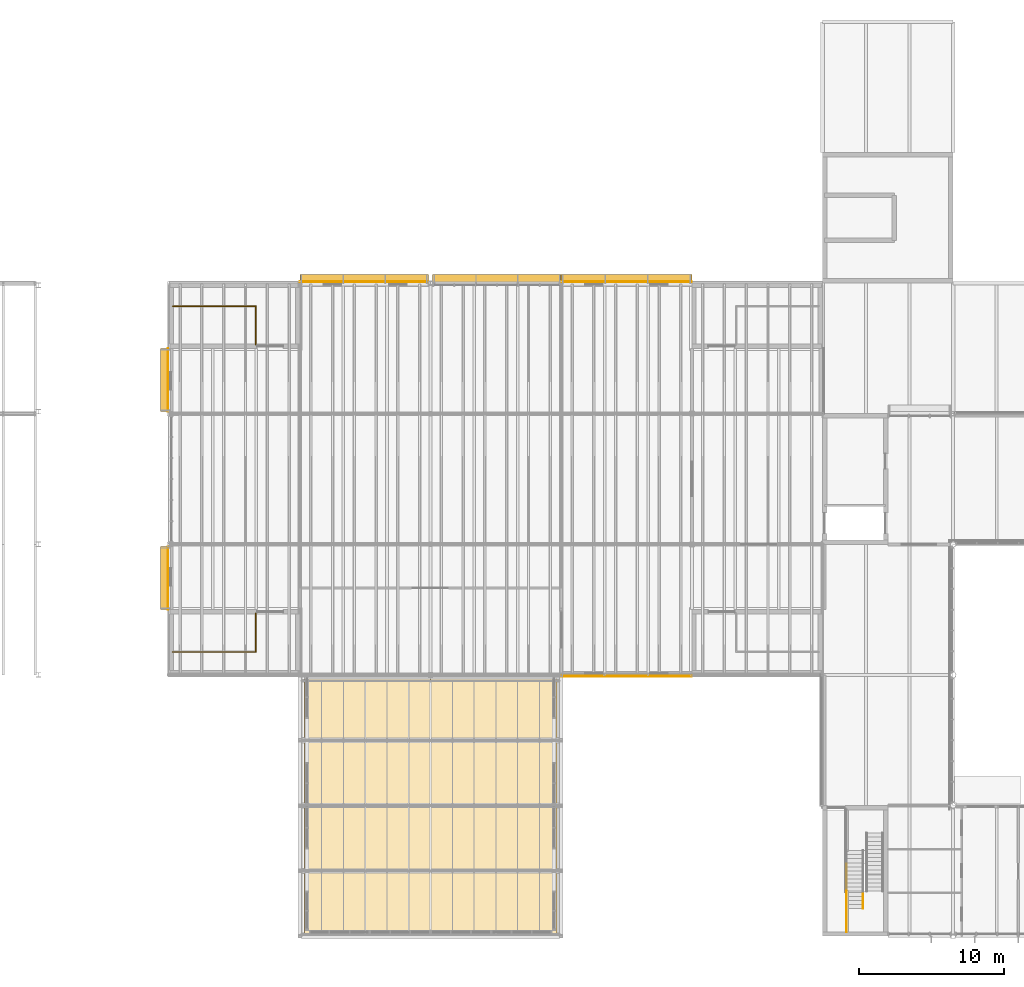
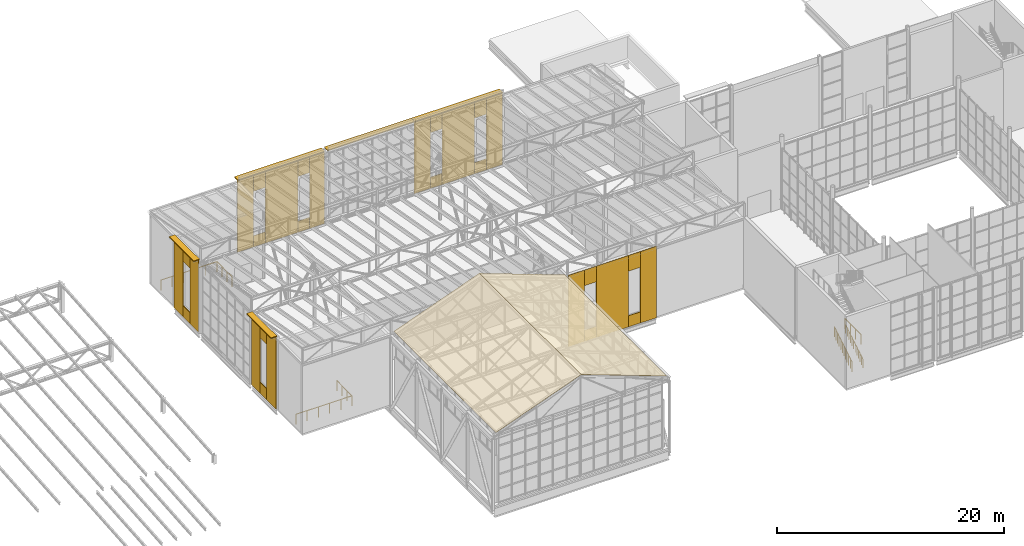
# One storey, part 86 of 90: 31 coverings, 5 railings, 5 shading devices.
"""IFC4 building model written with IfcOpenShell, lengths in metres."""

from ifc_helpers import new_model, si_unit, direction, frame, frame_2d, origin, origin_2d, place, context, subcontext, project, spatial, polyline, rectangle, circle, outline, extrude, material, layer, layer_set, type_object, element, save


model = new_model("IFC4")

# Units and contexts
model_context = context("Model", 3, precision=1e-05, world=origin(), true_north=direction((0.0, 1.0)))
body_context = subcontext(model_context, "Body", "Model", "MODEL_VIEW")
ifc_project = project(units=[si_unit("LENGTHUNIT", "METRE"), si_unit("AREAUNIT", "SQUARE_METRE"), si_unit("VOLUMEUNIT", "CUBIC_METRE"), si_unit("PLANEANGLEUNIT", "RADIAN"), si_unit("MASSUNIT", "GRAM", prefix="KILO")], contexts=[model_context])

# Site, building, storey
site_placement = place(None, origin())
site = spatial("IfcSite", under=ifc_project, at=site_placement, CompositionType="ELEMENT")
building_placement = place(site_placement, origin())
building = spatial("IfcBuilding", under=site, at=building_placement, Name="Halyard Row Museum", CompositionType="ELEMENT")
storey_placement = place(building_placement, frame((0.0, 0.0, 13.39990234375)))
storey = spatial("IfcBuildingStorey", under=building, at=storey_placement, Name="L03", CompositionType="ELEMENT", Elevation=13.39990234375)

# Railings
ifc_material_1 = material(Name="Steel Grade 300", Category="steel")
railing_type_1 = type_object("IfcRailingType", Name="Guard GR2 steel balustrade 1100", PredefinedType="GUARDRAIL", material=ifc_material_1)
railing_1_placement = place(storey_placement, frame((73.64990234375, 1.89990234375, 0.169677734375)))
element("IfcRailing", 1, at=railing_1_placement, inside=storey, type_object=railing_type_1, Name="Guard GR045", PredefinedType="GUARDRAIL", context=body_context, shape_type="SweptSolid", body=[
    extrude(circle(Radius=0.02392578125, at=origin_2d()), frame((0.0, 0.0, 1.076171875), z_axis=(0.0, 0.855578329207, 0.517673374428), x_axis=(-1.0, 0.0, 0.0)), (0.0, 0.0, 1.0), 0.327392578125),
    extrude(circle(Radius=0.02392578125, at=origin_2d()), frame((0.0, 0.280029296875, 1.24560546875), z_axis=(0.0, 0.855247904055, 0.518219087461), x_axis=(-1.0, 0.0, 0.0)), (0.0, 0.0, 1.0), 0.327392578125),
    extrude(circle(Radius=0.02392578125, at=origin_2d()), frame((0.0, 0.56005859375, 1.4150390625), z_axis=(0.0, 0.855247904055, 0.518219087461), x_axis=(-1.0, 0.0, 0.0)), (0.0, 0.0, 1.0), 0.327392578125),
    extrude(circle(Radius=0.02392578125, at=origin_2d()), frame((0.0, 0.840087890625, 1.5849609375), z_axis=(0.0, 0.855578329207, 0.517673374428), x_axis=(-1.0, 0.0, 0.0)), (0.0, 0.0, 1.0), 0.327392578125),
    extrude(circle(Radius=0.02392578125, at=origin_2d()), frame((0.0, 1.1201171875, 1.75439453125), z_axis=(0.0, 0.855247904055, 0.518219087461), x_axis=(-1.0, 0.0, 0.0)), (0.0, 0.0, 1.0), 0.327392578125),
    extrude(circle(Radius=0.02392578125, at=origin_2d()), frame((0.0, 1.400146484375, 1.923828125), z_axis=(0.0, 0.855578329207, 0.517673374428), x_axis=(-1.0, 0.0, 0.0)), (0.0, 0.0, 1.0), 0.327392578125),
    extrude(circle(Radius=0.02392578125, at=origin_2d()), frame((0.0, 1.68017578125, 2.09326171875), z_axis=(0.0, 0.855247904055, 0.518219087461), x_axis=(-1.0, 0.0, 0.0)), (0.0, 0.0, 1.0), 0.327392578125),
    extrude(circle(Radius=0.02392578125, at=origin_2d()), frame((0.0, 1.960205078125, 2.26318359375), z_axis=(0.0, 0.855378239897, 0.518003925382), x_axis=(-1.0, 0.0, 0.0)), (0.0, 0.0, 1.0), 0.3271484375),
    extrude(circle(Radius=0.02392578125, at=origin_2d()), frame((0.0, 2.239990234375, 2.4326171875), z_axis=(0.0, 0.855247904055, 0.518219087461), x_axis=(-1.0, 0.0, 0.0)), (0.0, 0.0, 1.0), 0.327392578125),
    extrude(circle(Radius=0.02392578125, at=origin_2d()), frame((0.0, 2.52001953125, 2.60205078125), z_axis=(0.0, 0.855578329207, 0.517673374428), x_axis=(-1.0, 0.0, 0.0)), (0.0, 0.0, 1.0), 0.327392578125),
    extrude(circle(Radius=0.02392578125, at=origin_2d()), frame((0.0, 2.800048828125, 2.771484375), z_axis=(0.0, 0.855247904055, 0.518219087461), x_axis=(-1.0, 0.0, 0.0)), (0.0, 0.0, 1.0), 0.327392578125),
    extrude(circle(Radius=0.02099609375, at=origin_2d()), origin(), (0.0, 0.0, 1.0), 1.052001953125),
    extrude(circle(Radius=0.02099609375, at=origin_2d()), frame((0.0, 0.280029296875, 0.16943359375)), (0.0, 0.0, 1.0), 1.052001953125),
    extrude(circle(Radius=0.02099609375, at=origin_2d()), frame((0.0, 0.56005859375, 0.339111328125)), (0.0, 0.0, 1.0), 1.052001953125),
    extrude(circle(Radius=0.02099609375, at=origin_2d()), frame((0.0, 0.840087890625, 0.5087890625)), (0.0, 0.0, 1.0), 1.052001953125),
    extrude(circle(Radius=0.02099609375, at=origin_2d()), frame((0.0, 1.1201171875, 0.67822265625)), (0.0, 0.0, 1.0), 1.052001953125),
    extrude(circle(Radius=0.02099609375, at=origin_2d()), frame((0.0, 1.400146484375, 0.847900390625)), (0.0, 0.0, 1.0), 1.052001953125),
    extrude(circle(Radius=0.02099609375, at=origin_2d()), frame((0.0, 1.68017578125, 1.017333984375)), (0.0, 0.0, 1.0), 1.052001953125),
    extrude(circle(Radius=0.02099609375, at=origin_2d()), frame((0.0, 1.960205078125, 1.18701171875)), (0.0, 0.0, 1.0), 1.052001953125),
    extrude(circle(Radius=0.02099609375, at=origin_2d()), frame((0.0, 2.239990234375, 1.3564453125)), (0.0, 0.0, 1.0), 1.052001953125),
    extrude(circle(Radius=0.02099609375, at=origin_2d()), frame((0.0, 2.52001953125, 1.526123046875)), (0.0, 0.0, 1.0), 1.052001953125),
    extrude(circle(Radius=0.02099609375, at=origin_2d()), frame((0.0, 2.800048828125, 1.695556640625)), (0.0, 0.0, 1.0), 1.052001953125),
    extrude(circle(Radius=0.02099609375, at=origin_2d()), frame((0.0, 3.080078125, 1.865234375)), (0.0, 0.0, 1.0), 1.052001953125),
])
railing_2_placement = place(storey_placement, frame((73.64990234375, 3.10009765625, 4.069580078125)))
element("IfcRailing", 2, at=railing_2_placement, inside=storey, type_object=railing_type_1, Name="Guard GR048", PredefinedType="GUARDRAIL", context=body_context, shape_type="SweptSolid", body=[
    extrude(circle(Radius=0.02392578125, at=origin_2d()), frame((0.0, 0.0, 1.076171875), z_axis=(0.0, -1.0, 0.0), x_axis=(1.0, 0.0, 0.0)), (0.0, 0.0, 1.0), 2.800048828125),
    extrude(circle(Radius=0.02099609375, at=origin_2d()), origin(), (0.0, 0.0, 1.0), 1.052001953125),
    extrude(circle(Radius=0.02099609375, at=origin_2d()), frame((0.0, -0.933349609375, 0.0)), (0.0, 0.0, 1.0), 1.052001953125),
    extrude(circle(Radius=0.02099609375, at=origin_2d()), frame((0.0, -1.86669921875, 0.0)), (0.0, 0.0, 1.0), 1.052001953125),
    extrude(circle(Radius=0.02099609375, at=origin_2d()), frame((0.0, -2.800048828125, 0.0)), (0.0, 0.0, 1.0), 1.052001953125),
])
railing_3_placement = place(storey_placement, frame((27.239990234375, 43.409912109375, 0.0)))
element("IfcRailing", 3, at=railing_3_placement, inside=storey, type_object=railing_type_1, Name="Guard GR140", PredefinedType="GUARDRAIL", context=body_context, shape_type="SweptSolid", body=[
    extrude(circle(Radius=0.02392578125, at=origin_2d()), frame((0.0, 0.0, 1.076171875), z_axis=(1.0, 0.0, 0.0), x_axis=(0.0, 1.0, 0.0)), (0.0, 0.0, 1.0), 5.719970703125),
    extrude(circle(Radius=0.02392578125, at=origin_2d()), frame((5.719970703125, 0.0, 1.076171875), z_axis=(0.0, -1.0, 0.0), x_axis=(1.0, 0.0, 0.0)), (0.0, 0.0, 1.0), 2.669921875),
    extrude(circle(Radius=0.02099609375, at=origin_2d()), origin(), (0.0, 0.0, 1.0), 1.052001953125),
    extrude(circle(Radius=0.02099609375, at=origin_2d()), frame((1.14404296875, 0.0, 0.0)), (0.0, 0.0, 1.0), 1.052001953125),
    extrude(circle(Radius=0.02099609375, at=origin_2d()), frame((2.2880859375, 0.0, 0.0)), (0.0, 0.0, 1.0), 1.052001953125),
    extrude(circle(Radius=0.02099609375, at=origin_2d()), frame((3.431884765625, 0.0, 0.0)), (0.0, 0.0, 1.0), 1.052001953125),
    extrude(circle(Radius=0.02099609375, at=origin_2d()), frame((4.575927734375, 0.0, 0.0)), (0.0, 0.0, 1.0), 1.052001953125),
    extrude(circle(Radius=0.02099609375, at=origin_2d()), frame((5.719970703125, 0.0, 0.0)), (0.0, 0.0, 1.0), 1.052001953125),
    extrude(circle(Radius=0.02099609375, at=origin_2d()), frame((5.719970703125, -0.889892578125, 0.0)), (0.0, 0.0, 1.0), 1.052001953125),
    extrude(circle(Radius=0.02099609375, at=origin_2d()), frame((5.719970703125, -1.780029296875, 0.0)), (0.0, 0.0, 1.0), 1.052001953125),
    extrude(circle(Radius=0.02099609375, at=origin_2d()), frame((5.719970703125, -2.669921875, 0.0)), (0.0, 0.0, 1.0), 1.052001953125),
])
railing_4_placement = place(storey_placement, frame((32.9599609375, 22.260009765625, 0.0)))
element("IfcRailing", 4, at=railing_4_placement, inside=storey, type_object=railing_type_1, Name="Guard GR154", PredefinedType="GUARDRAIL", context=body_context, shape_type="SweptSolid", body=[
    extrude(circle(Radius=0.02392578125, at=origin_2d()), frame((0.0, 0.0, 1.076171875), z_axis=(0.0, -1.0, 0.0), x_axis=(1.0, 0.0, 0.0)), (0.0, 0.0, 1.0), 2.669921875),
    extrude(circle(Radius=0.02392578125, at=origin_2d()), frame((0.0, -2.669921875, 1.076171875), z_axis=(-1.0, 0.0, 0.0), x_axis=(0.0, -1.0, 0.0)), (0.0, 0.0, 1.0), 5.719970703125),
    extrude(circle(Radius=0.02099609375, at=origin_2d()), origin(), (0.0, 0.0, 1.0), 1.052001953125),
    extrude(circle(Radius=0.02099609375, at=origin_2d()), frame((0.0, -0.889892578125, 0.0)), (0.0, 0.0, 1.0), 1.052001953125),
    extrude(circle(Radius=0.02099609375, at=origin_2d()), frame((0.0, -1.780029296875, 0.0)), (0.0, 0.0, 1.0), 1.052001953125),
    extrude(circle(Radius=0.02099609375, at=origin_2d()), frame((0.0, -2.669921875, 0.0)), (0.0, 0.0, 1.0), 1.052001953125),
    extrude(circle(Radius=0.02099609375, at=origin_2d()), frame((-1.14404296875, -2.669921875, 0.0)), (0.0, 0.0, 1.0), 1.052001953125),
    extrude(circle(Radius=0.02099609375, at=origin_2d()), frame((-2.2880859375, -2.669921875, 0.0)), (0.0, 0.0, 1.0), 1.052001953125),
    extrude(circle(Radius=0.02099609375, at=origin_2d()), frame((-3.431884765625, -2.669921875, 0.0)), (0.0, 0.0, 1.0), 1.052001953125),
    extrude(circle(Radius=0.02099609375, at=origin_2d()), frame((-4.575927734375, -2.669921875, 0.0)), (0.0, 0.0, 1.0), 1.052001953125),
    extrude(circle(Radius=0.02099609375, at=origin_2d()), frame((-5.719970703125, -2.669921875, 0.0)), (0.0, 0.0, 1.0), 1.052001953125),
])
ifc_material_2 = material(Name="Steel Grade 300", Category="steel")
railing_type_2 = type_object("IfcRailingType", Name="Handrail HR2 steel 900", PredefinedType="HANDRAIL", material=ifc_material_2)
railing_5_placement = place(storey_placement, frame((74.800048828125, 1.89990234375, 0.169677734375)))
element("IfcRailing", 5, at=railing_5_placement, inside=storey, type_object=railing_type_2, Name="Handrail HR067", PredefinedType="HANDRAIL", context=body_context, shape_type="SweptSolid", body=[
    extrude(circle(Radius=0.02392578125, at=origin_2d()), frame((0.0, 0.0, 0.8759765625), z_axis=(0.0, 0.855578329207, 0.517673374428), x_axis=(-1.0, 0.0, 0.0)), (0.0, 0.0, 1.0), 0.327392578125),
    extrude(circle(Radius=0.02392578125, at=origin_2d()), frame((0.0, 0.280029296875, 1.04541015625), z_axis=(0.0, 0.855247904055, 0.518219087461), x_axis=(-1.0, 0.0, 0.0)), (0.0, 0.0, 1.0), 0.327392578125),
    extrude(circle(Radius=0.02392578125, at=origin_2d()), frame((0.0, 0.56005859375, 1.21484375), z_axis=(0.0, 0.855247904055, 0.518219087461), x_axis=(-1.0, 0.0, 0.0)), (0.0, 0.0, 1.0), 0.327392578125),
    extrude(circle(Radius=0.02392578125, at=origin_2d()), frame((0.0, 0.840087890625, 1.384765625), z_axis=(0.0, 0.855578329207, 0.517673374428), x_axis=(-1.0, 0.0, 0.0)), (0.0, 0.0, 1.0), 0.327392578125),
    extrude(circle(Radius=0.02392578125, at=origin_2d()), frame((0.0, 1.1201171875, 1.55419921875), z_axis=(0.0, 0.855247904055, 0.518219087461), x_axis=(-1.0, 0.0, 0.0)), (0.0, 0.0, 1.0), 0.327392578125),
    extrude(circle(Radius=0.02392578125, at=origin_2d()), frame((0.0, 1.400146484375, 1.7236328125), z_axis=(0.0, 0.855578329207, 0.517673374428), x_axis=(-1.0, 0.0, 0.0)), (0.0, 0.0, 1.0), 0.327392578125),
    extrude(circle(Radius=0.02392578125, at=origin_2d()), frame((0.0, 1.68017578125, 1.89306640625), z_axis=(0.0, 0.855247904055, 0.518219087461), x_axis=(-1.0, 0.0, 0.0)), (0.0, 0.0, 1.0), 0.327392578125),
    extrude(circle(Radius=0.02392578125, at=origin_2d()), frame((0.0, 1.960205078125, 2.06298828125), z_axis=(0.0, 0.855378239897, 0.518003925382), x_axis=(-1.0, 0.0, 0.0)), (0.0, 0.0, 1.0), 0.3271484375),
    extrude(circle(Radius=0.02392578125, at=origin_2d()), frame((0.0, 2.239990234375, 2.232421875), z_axis=(0.0, 0.855247904055, 0.518219087461), x_axis=(-1.0, 0.0, 0.0)), (0.0, 0.0, 1.0), 0.327392578125),
    extrude(circle(Radius=0.02392578125, at=origin_2d()), frame((0.0, 2.52001953125, 2.40185546875), z_axis=(0.0, 0.855578329207, 0.517673374428), x_axis=(-1.0, 0.0, 0.0)), (0.0, 0.0, 1.0), 0.327392578125),
    extrude(circle(Radius=0.02392578125, at=origin_2d()), frame((0.0, 2.800048828125, 2.5712890625), z_axis=(0.0, 0.855247904055, 0.518219087461), x_axis=(-1.0, 0.0, 0.0)), (0.0, 0.0, 1.0), 0.327392578125),
    extrude(circle(Radius=0.02099609375, at=origin_2d()), origin(), (0.0, 0.0, 1.0), 0.851806640625),
    extrude(circle(Radius=0.02099609375, at=origin_2d()), frame((0.0, 0.280029296875, 0.16943359375)), (0.0, 0.0, 1.0), 0.851806640625),
    extrude(circle(Radius=0.02099609375, at=origin_2d()), frame((0.0, 0.56005859375, 0.339111328125)), (0.0, 0.0, 1.0), 0.851806640625),
    extrude(circle(Radius=0.02099609375, at=origin_2d()), frame((0.0, 0.840087890625, 0.5087890625)), (0.0, 0.0, 1.0), 0.851806640625),
    extrude(circle(Radius=0.02099609375, at=origin_2d()), frame((0.0, 1.1201171875, 0.67822265625)), (0.0, 0.0, 1.0), 0.851806640625),
    extrude(circle(Radius=0.02099609375, at=origin_2d()), frame((0.0, 1.400146484375, 0.847900390625)), (0.0, 0.0, 1.0), 0.851806640625),
    extrude(circle(Radius=0.02099609375, at=origin_2d()), frame((0.0, 1.68017578125, 1.017333984375)), (0.0, 0.0, 1.0), 0.851806640625),
    extrude(circle(Radius=0.02099609375, at=origin_2d()), frame((0.0, 1.960205078125, 1.18701171875)), (0.0, 0.0, 1.0), 0.851806640625),
    extrude(circle(Radius=0.02099609375, at=origin_2d()), frame((0.0, 2.239990234375, 1.3564453125)), (0.0, 0.0, 1.0), 0.851806640625),
    extrude(circle(Radius=0.02099609375, at=origin_2d()), frame((0.0, 2.52001953125, 1.526123046875)), (0.0, 0.0, 1.0), 0.851806640625),
    extrude(circle(Radius=0.02099609375, at=origin_2d()), frame((0.0, 2.800048828125, 1.695556640625)), (0.0, 0.0, 1.0), 0.851806640625),
    extrude(circle(Radius=0.02099609375, at=origin_2d()), frame((0.0, 3.080078125, 1.865234375)), (0.0, 0.0, 1.0), 0.851806640625),
])

# Coverings
ifc_material_3 = material(Name="Single-ply roofing membrane on insulation", Category="general")
ifc_layer_1 = layer(ifc_material_3, 0.02001953125)
ifc_layer_set_1 = layer_set([ifc_layer_1], Name="Single-ply roofing membrane on insulation")
covering_type_1 = type_object("IfcCoveringType", Name="Roofing membrane 20", PredefinedType="ROOFING", material=ifc_layer_set_1)
for number, where, z_axis, x_axis, name in (
    (6, (36.300048828125, 0.0, 7.820068359375), (-0.345202460243, 0.0, 0.938528242219), (0.938528242219, 0.0, 0.345202460243), "Roofing RC-V4W"),
    (7, (45.0, 0.0, 11.02001953125), (0.345202460243, 0.0, 0.938528242219), (0.938528242219, 0.0, -0.345202460243), "Roofing RC-V4E"),
):
    element("IfcCovering", number, at=place(storey_placement, frame(where, z_axis=z_axis, x_axis=x_axis)), inside=storey, type_object=covering_type_1, Name=name, PredefinedType="ROOFING", context=body_context, shape_type="SweptSolid", body=[
        extrude(outline(polyline([(0.0, 0.0), (9.26978089791735, 0.0), (9.26978089791735, 18.0), (0.0, 18.0), (0.0, 0.0)])), origin(), (0.0, 0.0, -1.0), 0.02001953125),
    ])
ifc_material_4 = material(Name="Fire-retardant Type A timber battens", Category="wood")
ifc_layer_2 = layer(ifc_material_4, 0.050048828125)
ifc_layer_set_2 = layer_set([ifc_layer_2], Name="Fire-retardant Type A timber battens")
covering_type_2 = type_object("IfcCoveringType", Name="Timber batten cladding 50", PredefinedType="CLADDING", material=ifc_layer_set_2)
covering_1_placement = place(storey_placement, frame((54.0, 17.9150390625, 0.0), z_axis=(0.0, 0.0, 1.0), x_axis=(1.0, 0.0, 0.0)))
element("IfcCovering", 8, at=covering_1_placement, inside=storey, type_object=covering_type_2, Name="Cladding CLL03-001", PredefinedType="CLADDING", context=body_context, shape_type="SweptSolid", body=[
    extrude(rectangle(XDim=1.64990234375, YDim=0.050048828125, at=frame_2d((0.824951171875, 0.0))), origin(), (0.0, 0.0, 1.0), 7.67822265625),
])
covering_2_placement = place(storey_placement, frame((56.85009765625, 17.9150390625, 0.0), z_axis=(0.0, 0.0, 1.0), x_axis=(1.0, 0.0, 0.0)))
element("IfcCovering", 9, at=covering_2_placement, inside=storey, type_object=covering_type_2, Name="Cladding CLL03-002", PredefinedType="CLADDING", context=body_context, shape_type="SweptSolid", body=[
    extrude(rectangle(XDim=3.2998046875, YDim=0.050048828125, at=frame_2d((1.64990234375, 0.0))), origin(), (0.0, 0.0, 1.0), 7.67822265625),
])
covering_3_placement = place(storey_placement, frame((61.35009765625, 17.9150390625, 0.0), z_axis=(0.0, 0.0, 1.0), x_axis=(1.0, 0.0, 0.0)))
element("IfcCovering", 10, at=covering_3_placement, inside=storey, type_object=covering_type_2, Name="Cladding CLL03-003", PredefinedType="CLADDING", context=body_context, shape_type="SweptSolid", body=[
    extrude(rectangle(XDim=1.64990234375, YDim=0.050048828125, at=frame_2d((0.824951171875, 0.0))), origin(), (0.0, 0.0, 1.0), 7.67822265625),
])
covering_4_placement = place(storey_placement, frame((55.64990234375, 17.9150390625, 0.0), z_axis=(0.0, 0.0, 1.0), x_axis=(1.0, 0.0, 0.0)))
element("IfcCovering", 11, at=covering_4_placement, inside=storey, type_object=covering_type_2, Name="Cladding CLL03-004", PredefinedType="CLADDING", context=body_context, shape_type="SweptSolid", body=[
    extrude(rectangle(XDim=1.2001953125, YDim=0.050048828125, at=frame_2d((0.60009765625, 0.0))), origin(), (0.0, 0.0, 1.0), 1.2001953125),
])
covering_5_placement = place(storey_placement, frame((55.64990234375, 17.9150390625, 6.0), z_axis=(0.0, 0.0, 1.0), x_axis=(1.0, 0.0, 0.0)))
element("IfcCovering", 12, at=covering_5_placement, inside=storey, type_object=covering_type_2, Name="Cladding CLL03-005", PredefinedType="CLADDING", context=body_context, shape_type="SweptSolid", body=[
    extrude(rectangle(XDim=1.2001953125, YDim=0.050048828125, at=frame_2d((0.60009765625, 0.0))), origin(), (0.0, 0.0, 1.0), 1.67822265625),
])
covering_6_placement = place(storey_placement, frame((60.14990234375, 17.9150390625, 0.0), z_axis=(0.0, 0.0, 1.0), x_axis=(1.0, 0.0, 0.0)))
element("IfcCovering", 13, at=covering_6_placement, inside=storey, type_object=covering_type_2, Name="Cladding CLL03-006", PredefinedType="CLADDING", context=body_context, shape_type="SweptSolid", body=[
    extrude(rectangle(XDim=1.2001953125, YDim=0.050048828125, at=frame_2d((0.60009765625, 0.0))), origin(), (0.0, 0.0, 1.0), 1.2001953125),
])
covering_7_placement = place(storey_placement, frame((60.14990234375, 17.9150390625, 6.0), z_axis=(0.0, 0.0, 1.0), x_axis=(1.0, 0.0, 0.0)))
element("IfcCovering", 14, at=covering_7_placement, inside=storey, type_object=covering_type_2, Name="Cladding CLL03-007", PredefinedType="CLADDING", context=body_context, shape_type="SweptSolid", body=[
    extrude(rectangle(XDim=1.2001953125, YDim=0.050048828125, at=frame_2d((0.60009765625, 0.0))), origin(), (0.0, 0.0, 1.0), 1.67822265625),
])
covering_8_placement = place(storey_placement, frame((63.0, 45.0849609375, 0.0), z_axis=(0.0, 0.0, 1.0), x_axis=(-1.0, 0.0, 0.0)))
element("IfcCovering", 15, at=covering_8_placement, inside=storey, type_object=covering_type_2, Name="Cladding CLL03-012", PredefinedType="CLADDING", context=body_context, shape_type="SweptSolid", body=[
    extrude(rectangle(XDim=1.64990234375, YDim=0.050048828125, at=frame_2d((0.824951171875, 0.0))), origin(), (0.0, 0.0, 1.0), 7.67822265625),
])
covering_9_placement = place(storey_placement, frame((60.14990234375, 45.0849609375, 0.0), z_axis=(0.0, 0.0, 1.0), x_axis=(-1.0, 0.0, 0.0)))
element("IfcCovering", 16, at=covering_9_placement, inside=storey, type_object=covering_type_2, Name="Cladding CLL03-013", PredefinedType="CLADDING", context=body_context, shape_type="SweptSolid", body=[
    extrude(rectangle(XDim=3.2998046875, YDim=0.050048828125, at=frame_2d((1.64990234375, 0.0))), origin(), (0.0, 0.0, 1.0), 7.67822265625),
])
covering_10_placement = place(storey_placement, frame((55.64990234375, 45.0849609375, 0.0), z_axis=(0.0, 0.0, 1.0), x_axis=(-1.0, 0.0, 0.0)))
element("IfcCovering", 17, at=covering_10_placement, inside=storey, type_object=covering_type_2, Name="Cladding CLL03-014", PredefinedType="CLADDING", context=body_context, shape_type="SweptSolid", body=[
    extrude(rectangle(XDim=1.64990234375, YDim=0.050048828125, at=frame_2d((0.824951171875, 0.0))), origin(), (0.0, 0.0, 1.0), 7.67822265625),
])
covering_11_placement = place(storey_placement, frame((61.35009765625, 45.0849609375, 0.0), z_axis=(0.0, 0.0, 1.0), x_axis=(-1.0, 0.0, 0.0)))
element("IfcCovering", 18, at=covering_11_placement, inside=storey, type_object=covering_type_2, Name="Cladding CLL03-015", PredefinedType="CLADDING", context=body_context, shape_type="SweptSolid", body=[
    extrude(rectangle(XDim=1.2001953125, YDim=0.050048828125, at=frame_2d((0.60009765625, 0.0))), origin(), (0.0, 0.0, 1.0), 1.2001953125),
])
covering_12_placement = place(storey_placement, frame((61.35009765625, 45.0849609375, 6.0), z_axis=(0.0, 0.0, 1.0), x_axis=(-1.0, 0.0, 0.0)))
element("IfcCovering", 19, at=covering_12_placement, inside=storey, type_object=covering_type_2, Name="Cladding CLL03-016", PredefinedType="CLADDING", context=body_context, shape_type="SweptSolid", body=[
    extrude(rectangle(XDim=1.2001953125, YDim=0.050048828125, at=frame_2d((0.60009765625, 0.0))), origin(), (0.0, 0.0, 1.0), 1.67822265625),
])
covering_13_placement = place(storey_placement, frame((56.85009765625, 45.0849609375, 0.0), z_axis=(0.0, 0.0, 1.0), x_axis=(-1.0, 0.0, 0.0)))
element("IfcCovering", 20, at=covering_13_placement, inside=storey, type_object=covering_type_2, Name="Cladding CLL03-017", PredefinedType="CLADDING", context=body_context, shape_type="SweptSolid", body=[
    extrude(rectangle(XDim=1.2001953125, YDim=0.050048828125, at=frame_2d((0.60009765625, 0.0))), origin(), (0.0, 0.0, 1.0), 1.2001953125),
])
covering_14_placement = place(storey_placement, frame((56.85009765625, 45.0849609375, 6.0), z_axis=(0.0, 0.0, 1.0), x_axis=(-1.0, 0.0, 0.0)))
element("IfcCovering", 21, at=covering_14_placement, inside=storey, type_object=covering_type_2, Name="Cladding CLL03-018", PredefinedType="CLADDING", context=body_context, shape_type="SweptSolid", body=[
    extrude(rectangle(XDim=1.2001953125, YDim=0.050048828125, at=frame_2d((0.60009765625, 0.0))), origin(), (0.0, 0.0, 1.0), 1.67822265625),
])
covering_15_placement = place(storey_placement, frame((44.85009765625, 45.0849609375, 0.0), z_axis=(0.0, 0.0, 1.0), x_axis=(-1.0, 0.0, 0.0)))
element("IfcCovering", 22, at=covering_15_placement, inside=storey, type_object=covering_type_2, Name="Cladding CLL03-019", PredefinedType="CLADDING", context=body_context, shape_type="SweptSolid", body=[
    extrude(rectangle(XDim=1.5, YDim=0.050048828125, at=frame_2d((0.75, 0.0))), origin(), (0.0, 0.0, 1.0), 7.67822265625),
])
covering_16_placement = place(storey_placement, frame((42.14990234375, 45.0849609375, 0.0), z_axis=(0.0, 0.0, 1.0), x_axis=(-1.0, 0.0, 0.0)))
element("IfcCovering", 23, at=covering_16_placement, inside=storey, type_object=covering_type_2, Name="Cladding CLL03-020", PredefinedType="CLADDING", context=body_context, shape_type="SweptSolid", body=[
    extrude(rectangle(XDim=3.2998046875, YDim=0.050048828125, at=frame_2d((1.64990234375, 0.0))), origin(), (0.0, 0.0, 1.0), 7.67822265625),
])
covering_17_placement = place(storey_placement, frame((37.64990234375, 45.0849609375, 0.0), z_axis=(0.0, 0.0, 1.0), x_axis=(-1.0, 0.0, 0.0)))
element("IfcCovering", 24, at=covering_17_placement, inside=storey, type_object=covering_type_2, Name="Cladding CLL03-021", PredefinedType="CLADDING", context=body_context, shape_type="SweptSolid", body=[
    extrude(rectangle(XDim=1.64990234375, YDim=0.050048828125, at=frame_2d((0.824951171875, 0.0))), origin(), (0.0, 0.0, 1.0), 7.67822265625),
])
covering_18_placement = place(storey_placement, frame((43.35009765625, 45.0849609375, 0.0), z_axis=(0.0, 0.0, 1.0), x_axis=(-1.0, 0.0, 0.0)))
element("IfcCovering", 25, at=covering_18_placement, inside=storey, type_object=covering_type_2, Name="Cladding CLL03-022", PredefinedType="CLADDING", context=body_context, shape_type="SweptSolid", body=[
    extrude(rectangle(XDim=1.2001953125, YDim=0.050048828125, at=frame_2d((0.60009765625, 0.0))), origin(), (0.0, 0.0, 1.0), 1.2001953125),
])
covering_19_placement = place(storey_placement, frame((43.35009765625, 45.0849609375, 6.0), z_axis=(0.0, 0.0, 1.0), x_axis=(-1.0, 0.0, 0.0)))
element("IfcCovering", 26, at=covering_19_placement, inside=storey, type_object=covering_type_2, Name="Cladding CLL03-023", PredefinedType="CLADDING", context=body_context, shape_type="SweptSolid", body=[
    extrude(rectangle(XDim=1.2001953125, YDim=0.050048828125, at=frame_2d((0.60009765625, 0.0))), origin(), (0.0, 0.0, 1.0), 1.67822265625),
])
covering_20_placement = place(storey_placement, frame((38.85009765625, 45.0849609375, 0.0), z_axis=(0.0, 0.0, 1.0), x_axis=(-1.0, 0.0, 0.0)))
element("IfcCovering", 27, at=covering_20_placement, inside=storey, type_object=covering_type_2, Name="Cladding CLL03-024", PredefinedType="CLADDING", context=body_context, shape_type="SweptSolid", body=[
    extrude(rectangle(XDim=1.2001953125, YDim=0.050048828125, at=frame_2d((0.60009765625, 0.0))), origin(), (0.0, 0.0, 1.0), 1.2001953125),
])
covering_21_placement = place(storey_placement, frame((38.85009765625, 45.0849609375, 6.0), z_axis=(0.0, 0.0, 1.0), x_axis=(-1.0, 0.0, 0.0)))
element("IfcCovering", 28, at=covering_21_placement, inside=storey, type_object=covering_type_2, Name="Cladding CLL03-025", PredefinedType="CLADDING", context=body_context, shape_type="SweptSolid", body=[
    extrude(rectangle(XDim=1.2001953125, YDim=0.050048828125, at=frame_2d((0.60009765625, 0.0))), origin(), (0.0, 0.0, 1.0), 1.67822265625),
])
covering_22_placement = place(storey_placement, frame((26.9150390625, 40.5, 0.0), z_axis=(0.0, 0.0, 1.0), x_axis=(0.0, -1.0, 0.0)))
element("IfcCovering", 29, at=covering_22_placement, inside=storey, type_object=covering_type_2, Name="Cladding CLL03-026", PredefinedType="CLADDING", context=body_context, shape_type="SweptSolid", body=[
    extrude(rectangle(XDim=1.64990234375, YDim=0.050048828125, at=frame_2d((0.824951171875, 0.0))), origin(), (0.0, 0.0, 1.0), 7.67822265625),
])
covering_23_placement = place(storey_placement, frame((26.9150390625, 37.64990234375, 0.0), z_axis=(0.0, 0.0, 1.0), x_axis=(0.0, -1.0, 0.0)))
element("IfcCovering", 30, at=covering_23_placement, inside=storey, type_object=covering_type_2, Name="Cladding CLL03-027", PredefinedType="CLADDING", context=body_context, shape_type="SweptSolid", body=[
    extrude(rectangle(XDim=1.5, YDim=0.050048828125, at=frame_2d((0.75, 0.0))), origin(), (0.0, 0.0, 1.0), 7.67822265625),
])
covering_24_placement = place(storey_placement, frame((26.9150390625, 38.85009765625, 0.0), z_axis=(0.0, 0.0, 1.0), x_axis=(0.0, -1.0, 0.0)))
element("IfcCovering", 31, at=covering_24_placement, inside=storey, type_object=covering_type_2, Name="Cladding CLL03-028", PredefinedType="CLADDING", context=body_context, shape_type="SweptSolid", body=[
    extrude(rectangle(XDim=1.2001953125, YDim=0.050048828125, at=frame_2d((0.60009765625, 0.0))), origin(), (0.0, 0.0, 1.0), 1.2001953125),
])
covering_25_placement = place(storey_placement, frame((26.9150390625, 38.85009765625, 6.0), z_axis=(0.0, 0.0, 1.0), x_axis=(0.0, -1.0, 0.0)))
element("IfcCovering", 32, at=covering_25_placement, inside=storey, type_object=covering_type_2, Name="Cladding CLL03-029", PredefinedType="CLADDING", context=body_context, shape_type="SweptSolid", body=[
    extrude(rectangle(XDim=1.2001953125, YDim=0.050048828125, at=frame_2d((0.60009765625, 0.0))), origin(), (0.0, 0.0, 1.0), 1.67822265625),
])
covering_26_placement = place(storey_placement, frame((26.9150390625, 26.85009765625, 0.0), z_axis=(0.0, 0.0, 1.0), x_axis=(0.0, -1.0, 0.0)))
element("IfcCovering", 33, at=covering_26_placement, inside=storey, type_object=covering_type_2, Name="Cladding CLL03-030", PredefinedType="CLADDING", context=body_context, shape_type="SweptSolid", body=[
    extrude(rectangle(XDim=1.5, YDim=0.050048828125, at=frame_2d((0.75, 0.0))), origin(), (0.0, 0.0, 1.0), 7.67822265625),
])
covering_27_placement = place(storey_placement, frame((26.9150390625, 24.14990234375, 0.0), z_axis=(0.0, 0.0, 1.0), x_axis=(0.0, -1.0, 0.0)))
element("IfcCovering", 34, at=covering_27_placement, inside=storey, type_object=covering_type_2, Name="Cladding CLL03-031", PredefinedType="CLADDING", context=body_context, shape_type="SweptSolid", body=[
    extrude(rectangle(XDim=1.64990234375, YDim=0.050048828125, at=frame_2d((0.824951171875, 0.0))), origin(), (0.0, 0.0, 1.0), 7.67822265625),
])
covering_28_placement = place(storey_placement, frame((26.9150390625, 25.35009765625, 0.0), z_axis=(0.0, 0.0, 1.0), x_axis=(0.0, -1.0, 0.0)))
element("IfcCovering", 35, at=covering_28_placement, inside=storey, type_object=covering_type_2, Name="Cladding CLL03-032", PredefinedType="CLADDING", context=body_context, shape_type="SweptSolid", body=[
    extrude(rectangle(XDim=1.2001953125, YDim=0.050048828125, at=frame_2d((0.60009765625, 0.0))), origin(), (0.0, 0.0, 1.0), 1.2001953125),
])
covering_29_placement = place(storey_placement, frame((26.9150390625, 25.35009765625, 6.0), z_axis=(0.0, 0.0, 1.0), x_axis=(0.0, -1.0, 0.0)))
element("IfcCovering", 36, at=covering_29_placement, inside=storey, type_object=covering_type_2, Name="Cladding CLL03-033", PredefinedType="CLADDING", context=body_context, shape_type="SweptSolid", body=[
    extrude(rectangle(XDim=1.2001953125, YDim=0.050048828125, at=frame_2d((0.60009765625, 0.0))), origin(), (0.0, 0.0, 1.0), 1.67822265625),
])

# Shading devices
ifc_material_5 = material(Name="Glue-laminated timber GL12, oiled", Category="wood")
ifc_layer_3 = layer(ifc_material_5, 0.10009765625)
ifc_layer_set_3 = layer_set([ifc_layer_3], Name="Glue-laminated timber GL12, oiled")
shading_device_type = type_object("IfcShadingDeviceType", Name="Timber louvre blade 100 x 600", PredefinedType="USERDEFINED", material=ifc_layer_set_3)
shading_device_placement = place(storey_placement, frame((58.5, 45.300048828125, 7.735107421875), z_axis=(0.0, 0.0, 1.0), x_axis=(1.0, 0.0, 0.0)))
element("IfcShadingDevice", 37, at=shading_device_placement, inside=storey, type_object=shading_device_type, Name="Timber louvre", ObjectType="LOUVRE", PredefinedType="USERDEFINED", context=body_context, shape_type="SweptSolid", body=[
    extrude(rectangle(XDim=9.0, YDim=0.60009765625, at=origin_2d()), origin(), (0.0, 0.0, 1.0), 0.10009765625),
])
for number, where, z_axis, x_axis, name in (
    (38, (49.574951171875, 45.300048828125, 7.735107421875), (0.0, 0.0, 1.0), (1.0, 0.0, 0.0), "Timber louvre"),
    (39, (40.425048828125, 45.300048828125, 7.735107421875), (0.0, 0.0, 1.0), (1.0, 0.0, 0.0), "Timber louvre"),
):
    element("IfcShadingDevice", number, at=place(storey_placement, frame(where, z_axis=z_axis, x_axis=x_axis)), inside=storey, type_object=shading_device_type, Name=name, ObjectType="LOUVRE", PredefinedType="USERDEFINED", context=body_context, shape_type="SweptSolid", body=[
        extrude(rectangle(XDim=8.85009765625, YDim=0.60009765625, at=origin_2d()), origin(), (0.0, 0.0, 1.0), 0.10009765625),
    ])
for number, where, z_axis, x_axis, name in (
    (40, (26.699951171875, 38.324951171875, 7.735107421875), (0.0, 0.0, 1.0), (1.0, 0.0, 0.0), "Timber louvre"),
    (41, (26.699951171875, 24.675048828125, 7.735107421875), (0.0, 0.0, 1.0), (1.0, 0.0, 0.0), "Timber louvre"),
):
    element("IfcShadingDevice", number, at=place(storey_placement, frame(where, z_axis=z_axis, x_axis=x_axis)), inside=storey, type_object=shading_device_type, Name=name, ObjectType="LOUVRE", PredefinedType="USERDEFINED", context=body_context, shape_type="SweptSolid", body=[
        extrude(rectangle(XDim=0.60009765625, YDim=4.35009765625, at=origin_2d()), origin(), (0.0, 0.0, 1.0), 0.10009765625),
    ])

save(model, "model.ifc")
